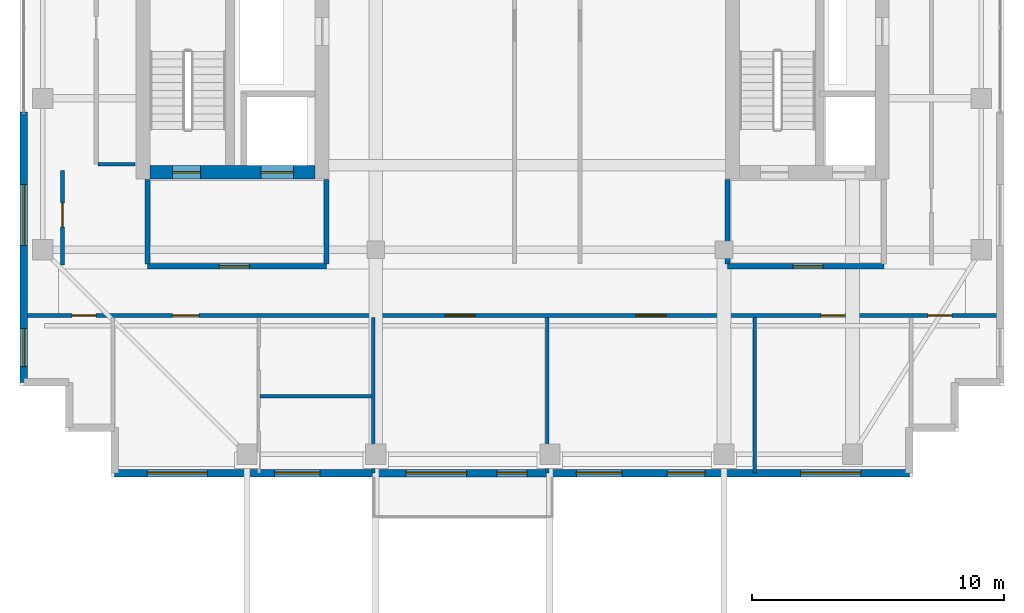
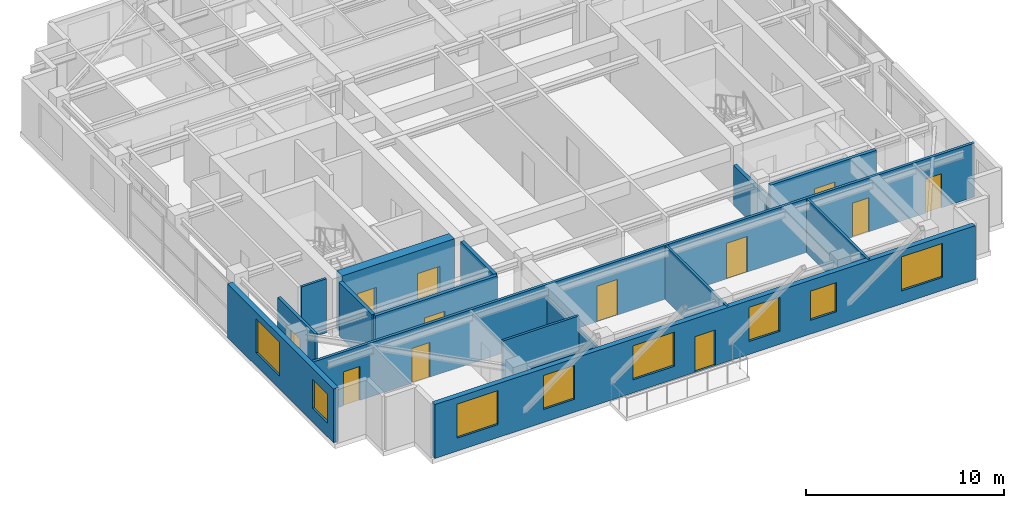
# One storey, part 8 of 14: 15 walls, 12 doors, 8 windows, 20 openings.
"""IFC4 building model written with IfcOpenShell, lengths in metres."""

from ifc_helpers import new_model, si_unit, direction, frame, frame_2d, origin, place, context, subcontext, project, spatial, rectangle, extrude, source, transform, mapped, material, layer, layer_set, type_object, element, fill, save


model = new_model("IFC4")

# Units and contexts
model_context = context("Model", 3, precision=1e-05, world=origin(), true_north=direction((0.0, 1.0)))
body_context = subcontext(model_context, "Body", "Model", "MODEL_VIEW")
ifc_project = project(units=[si_unit("LENGTHUNIT", "METRE"), si_unit("AREAUNIT", "SQUARE_METRE"), si_unit("VOLUMEUNIT", "CUBIC_METRE"), si_unit("PLANEANGLEUNIT", "RADIAN"), si_unit("MASSUNIT", "GRAM", prefix="KILO")], contexts=[model_context])

# Site, building, storey
site_placement = place(None, origin())
site = spatial("IfcSite", under=ifc_project, at=site_placement, CompositionType="ELEMENT")
building_placement = place(site_placement, origin())
building = spatial("IfcBuilding", under=site, at=building_placement, Name="Khoralis Quay Care Tower", CompositionType="ELEMENT")
storey_placement = place(building_placement, frame((0.0, 0.0, 274.5)))
storey = spatial("IfcBuildingStorey", under=building, at=storey_placement, Name="L72", CompositionType="ELEMENT", Elevation=274.5)

# Wall, opening, door
ifc_material_1 = material(Name="Gypsum plasterboard on acoustic metal stud")
ifc_layer_1 = layer(ifc_material_1, 0.199951171875)
ifc_layer_set_1 = layer_set([ifc_layer_1], Name="Gypsum plasterboard on acoustic metal stud")
wall_type_1 = type_object("IfcWallType", Name="WL-COMP-200", PredefinedType="PARTITIONING", material=ifc_layer_set_1)
wall_1_placement = place(storey_placement, frame((8.050048828125, 11.35009765625, 0.0), z_axis=(0.0, 0.0, 1.0), x_axis=(1.0, 0.0, 0.0)))
wall_1 = element("IfcWall", 1, at=wall_1_placement, inside=storey, type_object=wall_type_1, Name="L72 West Firefighting Lobby South Wall", PredefinedType="PARTITIONING", context=body_context, shape_type="SweptSolid", body=[
    extrude(rectangle(XDim=7.099853515625, YDim=0.199951171875, at=frame_2d((3.5498046875, 0.0))), origin(), (0.0, 0.0, 1.0), 3.320068359375),
])
opening_1_placement = place(wall_1_placement, frame((2.846435546875, 0.0, 0.0)))
opening_1 = element("IfcOpeningElement", 2, at=opening_1_placement, cuts=wall_1, Name="Opening FD1", PredefinedType="OPENING", context=body_context, shape_type="SweptSolid", body=[
    extrude(rectangle(XDim=1.199951171875, YDim=2.199951171875, at=frame_2d((0.60009765625, 1.10009765625))), frame((0.0, 0.10986328125, 0.0), z_axis=(0.0, -1.0, 0.0), x_axis=(1.0, 0.0, 0.0)), (0.0, 0.0, 1.0), 0.219970703125),
])
ifc_material_2 = material(Name="Fire-rated painted steel", Category="steel")
door_type_1 = type_object("IfcDoorType", Name="DR-FFL-1200X2200", OperationType="NOTDEFINED", PredefinedType="DOOR", material=ifc_material_2)
shared_shape_1 = source(origin(), body_context, "Body", "SweptSolid", [
    extrude(rectangle(XDim=1.199951171875, YDim=2.199951171875, at=frame_2d((0.60009765625, 1.10009765625))), frame((0.0, 0.02490234375, 0.0), z_axis=(0.0, -1.0, 0.0), x_axis=(1.0, 0.0, 0.0)), (0.0, 0.0, 1.0), 0.050048828125),
])
door_1_placement = place(opening_1_placement, origin())
door_1 = element("IfcDoor", 3, at=door_1_placement, inside=storey, type_object=door_type_1, Name="L72 West Firefighting Lobby Fire Door", OperationType="SINGLE_SWING_RIGHT", OverallHeight=2.199951171875, OverallWidth=1.199951171875, PredefinedType="DOOR", context=body_context, shape_type="MappedRepresentation", body=[
    mapped(shared_shape_1, transform((0.0, 0.0, 0.0), scale=1.0)),
])
fill(opening_1, door_1)

# Walls
for number, where, z_axis, x_axis, name in (
    (4, (8.050048828125, 11.445068359375, 0.0), (0.0, 0.0, 1.0), (0.0, 1.0, 0.0), "L72 West Firefighting Lobby West Wall"),
    (5, (15.14990234375, 11.445068359375, 0.0), (0.0, 0.0, 1.0), (0.0, 1.0, 0.0), "L72 West Firefighting Lobby East Wall"),
):
    element("IfcWall", number, at=place(storey_placement, frame(where, z_axis=z_axis, x_axis=x_axis)), inside=storey, type_object=wall_type_1, Name=name, PredefinedType="PARTITIONING", context=body_context, shape_type="SweptSolid", body=[
        extrude(rectangle(XDim=3.3349609375, YDim=0.199951171875, at=frame_2d((1.66748046875, 0.0))), origin(), (0.0, 0.0, 1.0), 3.320068359375),
    ])

# Wall, opening, door
wall_2_placement = place(storey_placement, frame((31.050048828125, 11.35009765625, 0.0), z_axis=(0.0, 0.0, 1.0), x_axis=(1.0, 0.0, 0.0)))
wall_2 = element("IfcWall", 6, at=wall_2_placement, inside=storey, type_object=wall_type_1, Name="L72 East Firefighting Lobby South Wall", PredefinedType="PARTITIONING", context=body_context, shape_type="SweptSolid", body=[
    extrude(rectangle(XDim=6.199951171875, YDim=0.199951171875, at=frame_2d((3.10009765625, 0.0))), origin(), (0.0, 0.0, 1.0), 3.320068359375),
])
opening_2_placement = place(wall_2_placement, frame((2.585693359375, 0.0, 0.0)))
opening_2 = element("IfcOpeningElement", 7, at=opening_2_placement, cuts=wall_2, Name="Opening FD1", PredefinedType="OPENING", context=body_context, shape_type="SweptSolid", body=[
    extrude(rectangle(XDim=1.199951171875, YDim=2.199951171875, at=frame_2d((0.60009765625, 1.10009765625))), frame((0.0, 0.10986328125, 0.0), z_axis=(0.0, -1.0, 0.0), x_axis=(1.0, 0.0, 0.0)), (0.0, 0.0, 1.0), 0.219970703125),
])
door_2_placement = place(opening_2_placement, origin())
door_2 = element("IfcDoor", 8, at=door_2_placement, inside=storey, type_object=door_type_1, Name="L72 East Firefighting Lobby Fire Door", OperationType="SINGLE_SWING_LEFT", OverallHeight=2.199951171875, OverallWidth=1.199951171875, PredefinedType="DOOR", context=body_context, shape_type="MappedRepresentation", body=[
    mapped(shared_shape_1, transform((0.0, 0.0, 0.0), scale=1.0)),
])
fill(opening_2, door_2)

# Wall
wall_3_placement = place(storey_placement, frame((31.050048828125, 11.445068359375, 0.0), z_axis=(0.0, 0.0, 1.0), x_axis=(0.0, 1.0, 0.0)))
element("IfcWall", 9, at=wall_3_placement, inside=storey, type_object=wall_type_1, Name="L72 East Firefighting Lobby West Wall", PredefinedType="PARTITIONING", context=body_context, shape_type="SweptSolid", body=[
    extrude(rectangle(XDim=3.3349609375, YDim=0.199951171875, at=frame_2d((1.66748046875, 0.0))), origin(), (0.0, 0.0, 1.0), 2.469970703125),
])

# Wall, openings, doors
ifc_material_3 = material(Name="Concrete C65/80", Category="concrete")
ifc_layer_2 = layer(ifc_material_3, 0.550048828125)
ifc_layer_set_2 = layer_set([ifc_layer_2], Name="Concrete C65/80")
wall_type_2 = type_object("IfcWallType", Name="WL-CORE-550", PredefinedType="SHEAR", material=ifc_layer_set_2)
wall_4_placement = place(storey_placement, frame((8.14990234375, 15.074951171875, 0.0), z_axis=(0.0, 0.0, 1.0), x_axis=(1.0, 0.0, 0.0)))
wall_4 = element("IfcWall", 10, at=wall_4_placement, inside=storey, type_object=wall_type_2, Name="L72 WCORE South Shear Wall", PredefinedType="SHEAR", context=body_context, shape_type="SweptSolid", body=[
    extrude(rectangle(XDim=6.550048828125, YDim=0.550048828125, at=frame_2d((3.27490234375, 0.0))), origin(), (0.0, 0.0, 1.0), 3.60009765625),
])
opening_3_placement = place(wall_4_placement, frame((0.89990234375, 0.0, 0.0)))
opening_3 = element("IfcOpeningElement", 11, at=opening_3_placement, cuts=wall_4, Name="Opening SD1", PredefinedType="OPENING", context=body_context, shape_type="SweptSolid", body=[
    extrude(rectangle(XDim=1.10009765625, YDim=2.199951171875, at=frame_2d((0.550048828125, 1.10009765625))), frame((0.0, 0.28515625, 0.0), z_axis=(0.0, -1.0, 0.0), x_axis=(1.0, 0.0, 0.0)), (0.0, 0.0, 1.0), 0.570068359375),
])
opening_4_placement = place(wall_4_placement, frame((4.39990234375, 0.0, 0.0)))
opening_4 = element("IfcOpeningElement", 12, at=opening_4_placement, cuts=wall_4, Name="Opening LD2", PredefinedType="OPENING", context=body_context, shape_type="SweptSolid", body=[
    extrude(rectangle(XDim=1.300048828125, YDim=2.199951171875, at=frame_2d((0.64990234375, 1.10009765625))), frame((0.0, 0.28515625, 0.0), z_axis=(0.0, -1.0, 0.0), x_axis=(1.0, 0.0, 0.0)), (0.0, 0.0, 1.0), 0.570068359375),
])
door_type_2 = type_object("IfcDoorType", Name="DR-STAIR-1100X2200", OperationType="NOTDEFINED", PredefinedType="DOOR", material=ifc_material_2)
shared_shape_2 = source(origin(), body_context, "Body", "SweptSolid", [
    extrude(rectangle(XDim=1.10009765625, YDim=2.199951171875, at=frame_2d((0.550048828125, 1.10009765625))), frame((0.0, 0.02490234375, 0.0), z_axis=(0.0, -1.0, 0.0), x_axis=(1.0, 0.0, 0.0)), (0.0, 0.0, 1.0), 0.050048828125),
])
door_3_placement = place(opening_3_placement, origin())
door_3 = element("IfcDoor", 13, at=door_3_placement, inside=storey, type_object=door_type_2, Name="L72 Stair ST-T1 Fire Door", OperationType="SINGLE_SWING_RIGHT", OverallHeight=2.199951171875, OverallWidth=1.10009765625, PredefinedType="DOOR", context=body_context, shape_type="MappedRepresentation", body=[
    mapped(shared_shape_2, transform((0.0, 0.0, 0.0), scale=1.0)),
])
fill(opening_3, door_3)
ifc_material_4 = material(Name="Brushed stainless steel", Category="steel")
door_type_3 = type_object("IfcDoorType", Name="DR-LIFT-1300X2200", OperationType="SLIDING_TO_RIGHT", PredefinedType="DOOR", material=ifc_material_4)
shared_shape_3 = source(origin(), body_context, "Body", "SweptSolid", [
    extrude(rectangle(XDim=1.300048828125, YDim=2.199951171875, at=frame_2d((0.64990234375, 1.10009765625))), frame((0.0, 0.02490234375, 0.0), z_axis=(0.0, -1.0, 0.0), x_axis=(1.0, 0.0, 0.0)), (0.0, 0.0, 1.0), 0.050048828125),
])
door_4_placement = place(opening_4_placement, origin())
door_4 = element("IfcDoor", 14, at=door_4_placement, inside=storey, type_object=door_type_3, Name="L72 Firefighting Lift FFL-1 Landing Door", OperationType="SLIDING_TO_RIGHT", OverallHeight=2.199951171875, OverallWidth=1.300048828125, PredefinedType="DOOR", context=body_context, shape_type="MappedRepresentation", body=[
    mapped(shared_shape_3, transform((0.0, 0.0, 0.0), scale=1.0)),
])
fill(opening_4, door_4)

ifc_layer_3 = layer(ifc_material_1, 0.1650390625)
ifc_layer_set_3 = layer_set([ifc_layer_3], Name="Gypsum plasterboard on acoustic metal stud")
wall_type_3 = type_object("IfcWallType", Name="WL-CORR-165", PredefinedType="PARTITIONING", material=ifc_layer_set_3)
wall_5_placement = place(storey_placement, frame((3.14501953125, 9.39990234375, 0.0), z_axis=(0.0, 0.0, 1.0), x_axis=(1.0, 0.0, 0.0)))
wall_5 = element("IfcWall", 15, at=wall_5_placement, inside=storey, type_object=wall_type_3, Name="L72 South Main Corridor Wall", PredefinedType="PARTITIONING", context=body_context, shape_type="SweptSolid", body=[
    extrude(rectangle(XDim=38.7099609375, YDim=0.1650390625, at=frame_2d((19.35498046875, 0.0))), origin(), (0.0, 0.0, 1.0), 3.320068359375),
])
opening_5_placement = place(wall_5_placement, frame((5.902587890625, 0.0, 0.0)))
opening_5 = element("IfcOpeningElement", 16, at=opening_5_placement, cuts=wall_5, Name="Opening UD1", PredefinedType="OPENING", context=body_context, shape_type="SweptSolid", body=[
    extrude(rectangle(XDim=1.050048828125, YDim=2.14990234375, at=frame_2d((0.52490234375, 1.074951171875))), frame((0.0, 0.092529296875, 0.0), z_axis=(0.0, -1.0, 0.0), x_axis=(1.0, 0.0, 0.0)), (0.0, 0.0, 1.0), 0.18505859375),
])
opening_6_placement = place(wall_5_placement, frame((16.705078125, 0.0, 0.0)))
opening_6 = element("IfcOpeningElement", 17, at=opening_6_placement, cuts=wall_5, Name="Opening FD1", PredefinedType="OPENING", context=body_context, shape_type="SweptSolid", body=[
    extrude(rectangle(XDim=1.199951171875, YDim=2.199951171875, at=frame_2d((0.60009765625, 1.10009765625))), frame((0.0, 0.092529296875, 0.0), z_axis=(0.0, -1.0, 0.0), x_axis=(1.0, 0.0, 0.0)), (0.0, 0.0, 1.0), 0.18505859375),
])
opening_7_placement = place(wall_5_placement, frame((24.260009765625, 0.0, 0.0)))
opening_7 = element("IfcOpeningElement", 18, at=opening_7_placement, cuts=wall_5, Name="Opening FD1", PredefinedType="OPENING", context=body_context, shape_type="SweptSolid", body=[
    extrude(rectangle(XDim=1.199951171875, YDim=2.199951171875, at=frame_2d((0.60009765625, 1.10009765625))), frame((0.0, 0.092529296875, 0.0), z_axis=(0.0, -1.0, 0.0), x_axis=(1.0, 0.0, 0.0)), (0.0, 0.0, 1.0), 0.18505859375),
])
opening_8_placement = place(wall_5_placement, frame((31.60009765625, 0.0, 0.0)))
opening_8 = element("IfcOpeningElement", 19, at=opening_8_placement, cuts=wall_5, Name="Opening ID1", PredefinedType="OPENING", context=body_context, shape_type="SweptSolid", body=[
    extrude(rectangle(XDim=0.949951171875, YDim=2.10009765625, at=frame_2d((0.47509765625, 1.050048828125))), frame((0.0, 0.092529296875, 0.0), z_axis=(0.0, -1.0, 0.0), x_axis=(1.0, 0.0, 0.0)), (0.0, 0.0, 1.0), 0.18505859375),
])
opening_9_placement = place(wall_5_placement, frame((1.919921875, 0.0, 0.0)))
opening_9 = element("IfcOpeningElement", 20, at=opening_9_placement, cuts=wall_5, Name="Opening ID1", PredefinedType="OPENING", context=body_context, shape_type="SweptSolid", body=[
    extrude(rectangle(XDim=0.949951171875, YDim=2.10009765625, at=frame_2d((0.47509765625, 1.050048828125))), frame((0.0, 0.092529296875, 0.0), z_axis=(0.0, -1.0, 0.0), x_axis=(1.0, 0.0, 0.0)), (0.0, 0.0, 1.0), 0.18505859375),
])
opening_10_placement = place(wall_5_placement, frame((35.840087890625, 0.0, 0.0)))
opening_10 = element("IfcOpeningElement", 21, at=opening_10_placement, cuts=wall_5, Name="Opening ID1", PredefinedType="OPENING", context=body_context, shape_type="SweptSolid", body=[
    extrude(rectangle(XDim=0.949951171875, YDim=2.10009765625, at=frame_2d((0.47509765625, 1.050048828125))), frame((0.0, 0.092529296875, 0.0), z_axis=(0.0, -1.0, 0.0), x_axis=(1.0, 0.0, 0.0)), (0.0, 0.0, 1.0), 0.18505859375),
])
door_5_placement = place(opening_6_placement, frame((1.199951171875, 0.0, 0.0), z_axis=(0.0, 0.0, 1.0), x_axis=(-1.0, 0.0, 0.0)))
door_5 = element("IfcDoor", 22, at=door_5_placement, inside=storey, type_object=door_type_1, Name="L72 Assisted Communal Dining Room Door", OperationType="DOUBLE_DOOR_SINGLE_SWING", OverallHeight=2.199951171875, OverallWidth=1.199951171875, PredefinedType="DOOR", context=body_context, shape_type="MappedRepresentation", body=[
    mapped(shared_shape_1, transform((0.0, 0.0, 0.0), scale=1.0)),
])
fill(opening_6, door_5)
door_6_placement = place(opening_7_placement, frame((1.199951171875, 0.0, 0.0), z_axis=(0.0, 0.0, 1.0), x_axis=(-1.0, 0.0, 0.0)))
door_6 = element("IfcDoor", 23, at=door_6_placement, inside=storey, type_object=door_type_1, Name="L72 Senior Wellness Pharmacy Shop Door", OperationType="DOUBLE_DOOR_SINGLE_SWING", OverallHeight=2.199951171875, OverallWidth=1.199951171875, PredefinedType="DOOR", context=body_context, shape_type="MappedRepresentation", body=[
    mapped(shared_shape_1, transform((0.0, 0.0, 0.0), scale=1.0)),
])
fill(opening_7, door_6)
ifc_material_5 = material(Name="Acoustic hardwood timber", Category="wood")
door_type_4 = type_object("IfcDoorType", Name="DR-ROOM-950X2100", OperationType="NOTDEFINED", PredefinedType="DOOR", material=ifc_material_5)
shared_shape_4 = source(origin(), body_context, "Body", "SweptSolid", [
    extrude(rectangle(XDim=0.949951171875, YDim=2.10009765625, at=frame_2d((0.47509765625, 1.050048828125))), frame((0.0, 0.02490234375, 0.0), z_axis=(0.0, -1.0, 0.0), x_axis=(1.0, 0.0, 0.0)), (0.0, 0.0, 1.0), 0.050048828125),
])
door_7_placement = place(opening_8_placement, frame((0.949951171875, 0.0, 0.0), z_axis=(0.0, 0.0, 1.0), x_axis=(-1.0, 0.0, 0.0)))
door_7 = element("IfcDoor", 24, at=door_7_placement, inside=storey, type_object=door_type_4, Name="L72 Care Coordination Office Door", OperationType="SINGLE_SWING_RIGHT", OverallHeight=2.10009765625, OverallWidth=0.949951171875, PredefinedType="DOOR", context=body_context, shape_type="MappedRepresentation", body=[
    mapped(shared_shape_4, transform((0.0, 0.0, 0.0), scale=1.0)),
])
fill(opening_8, door_7)
door_8_placement = place(opening_9_placement, frame((0.949951171875, 0.0, 0.0), z_axis=(0.0, 0.0, 1.0), x_axis=(-1.0, 0.0, 0.0)))
door_8 = element("IfcDoor", 25, at=door_8_placement, inside=storey, type_object=door_type_4, Name="L72 SW Corner Door", OperationType="SINGLE_SWING_LEFT", OverallHeight=2.10009765625, OverallWidth=0.949951171875, PredefinedType="DOOR", context=body_context, shape_type="MappedRepresentation", body=[
    mapped(shared_shape_4, transform((0.0, 0.0, 0.0), scale=1.0)),
])
fill(opening_9, door_8)
door_9_placement = place(opening_10_placement, frame((0.949951171875, 0.0, 0.0), z_axis=(0.0, 0.0, 1.0), x_axis=(-1.0, 0.0, 0.0)))
door_9 = element("IfcDoor", 26, at=door_9_placement, inside=storey, type_object=door_type_4, Name="L72 SE Corner Door", OperationType="SINGLE_SWING_RIGHT", OverallHeight=2.10009765625, OverallWidth=0.949951171875, PredefinedType="DOOR", context=body_context, shape_type="MappedRepresentation", body=[
    mapped(shared_shape_4, transform((0.0, 0.0, 0.0), scale=1.0)),
])
fill(opening_10, door_9)
door_type_5 = type_object("IfcDoorType", Name="DR-SUITE-1050X2150", OperationType="NOTDEFINED", PredefinedType="DOOR", material=ifc_material_5)
shared_shape_5 = source(origin(), body_context, "Body", "SweptSolid", [
    extrude(rectangle(XDim=1.050048828125, YDim=2.14990234375, at=frame_2d((0.52490234375, 1.074951171875))), frame((0.0, 0.02490234375, 0.0), z_axis=(0.0, -1.0, 0.0), x_axis=(1.0, 0.0, 0.0)), (0.0, 0.0, 1.0), 0.050048828125),
])
door_10_placement = place(opening_5_placement, frame((1.050048828125, 0.0, 0.0), z_axis=(0.0, 0.0, 1.0), x_axis=(-1.0, 0.0, 0.0)))
door_10 = element("IfcDoor", 27, at=door_10_placement, inside=storey, type_object=door_type_5, Name="L72 Studio SB0 Entrance", OperationType="SINGLE_SWING_RIGHT", OverallHeight=2.14990234375, OverallWidth=1.050048828125, PredefinedType="DOOR", context=body_context, shape_type="MappedRepresentation", body=[
    mapped(shared_shape_5, transform((0.0, 0.0, 0.0), scale=1.0)),
])
fill(opening_5, door_10)

# Wall, opening, door
wall_6_placement = place(storey_placement, frame((4.679931640625, 11.39990234375, 0.0), z_axis=(0.0, 0.0, 1.0), x_axis=(0.0, 1.0, 0.0)))
wall_6 = element("IfcWall", 28, at=wall_6_placement, inside=storey, type_object=wall_type_3, Name="L72 West Sky Sunroom South Wall", PredefinedType="PARTITIONING", context=body_context, shape_type="SweptSolid", body=[
    extrude(rectangle(XDim=3.75, YDim=0.1650390625, at=frame_2d((1.875, 0.0))), origin(), (0.0, 0.0, 1.0), 3.320068359375),
])
opening_11_placement = place(wall_6_placement, frame((1.5, 0.0, 0.0)))
opening_11 = element("IfcOpeningElement", 29, at=opening_11_placement, cuts=wall_6, Name="Opening ID1", PredefinedType="OPENING", context=body_context, shape_type="SweptSolid", body=[
    extrude(rectangle(XDim=0.949951171875, YDim=2.10009765625, at=frame_2d((0.47509765625, 1.050048828125))), frame((0.0, 0.092529296875, 0.0), z_axis=(0.0, -1.0, 0.0), x_axis=(1.0, 0.0, 0.0)), (0.0, 0.0, 1.0), 0.18505859375),
])
door_11_placement = place(opening_11_placement, frame((0.949951171875, 0.0, 0.0), z_axis=(0.0, 0.0, 1.0), x_axis=(-1.0, 0.0, 0.0)))
door_11 = element("IfcDoor", 30, at=door_11_placement, inside=storey, type_object=door_type_4, Name="L72 West Sunroom Door", OperationType="SINGLE_SWING_LEFT", OverallHeight=2.10009765625, OverallWidth=0.949951171875, PredefinedType="DOOR", context=body_context, shape_type="MappedRepresentation", body=[
    mapped(shared_shape_4, transform((0.0, 0.0, 0.0), scale=1.0)),
])
fill(opening_11, door_11)

# Wall, openings, windows, door
ifc_material_6 = material(Name="Precast concrete C45/55", Category="concrete")
ifc_layer_4 = layer(ifc_material_6, 0.300048828125)
ifc_layer_set_4 = layer_set([ifc_layer_4], Name="Precast concrete C45/55")
wall_type_4 = type_object("IfcWallType", Name="WL-EXT-REF-300", PredefinedType="SOLIDWALL", material=ifc_layer_set_4)
wall_7_placement = place(storey_placement, frame((6.75, 3.14990234375, 0.0), z_axis=(0.0, 0.0, 1.0), x_axis=(1.0, 0.0, 0.0)))
wall_7 = element("IfcWall", 31, at=wall_7_placement, inside=storey, type_object=wall_type_4, Name="L72 External Facade Wall WL-EXT-L72-P1-E0", PredefinedType="SOLIDWALL", context=body_context, shape_type="SweptSolid", body=[
    extrude(rectangle(XDim=31.5, YDim=0.300048828125, at=frame_2d((15.75, 0.0))), origin(), (0.0, 0.0, 1.0), 3.320068359375),
])
opening_12_placement = place(wall_7_placement, frame((1.280029296875, 0.0, 0.800048828125)))
opening_12 = element("IfcOpeningElement", 32, at=opening_12_placement, cuts=wall_7, Name="Opening W1", PredefinedType="OPENING", context=body_context, shape_type="SweptSolid", body=[
    extrude(rectangle(XDim=2.39990234375, YDim=2.10009765625, at=frame_2d((1.199951171875, 1.050048828125))), frame((0.0, 0.16015625, 0.0), z_axis=(0.0, -1.0, 0.0), x_axis=(1.0, 0.0, 0.0)), (0.0, 0.0, 1.0), 0.320068359375),
])
opening_13_placement = place(wall_7_placement, frame((6.33740234375, 0.0, 0.800048828125)))
opening_13 = element("IfcOpeningElement", 33, at=opening_13_placement, cuts=wall_7, Name="Opening W2", PredefinedType="OPENING", context=body_context, shape_type="SweptSolid", body=[
    extrude(rectangle(XDim=1.800048828125, YDim=2.10009765625, at=frame_2d((0.89990234375, 1.050048828125))), frame((0.0, 0.16015625, 0.0), z_axis=(0.0, -1.0, 0.0), x_axis=(1.0, 0.0, 0.0)), (0.0, 0.0, 1.0), 0.320068359375),
])
opening_14_placement = place(wall_7_placement, frame((11.550048828125, 0.0, 0.800048828125)))
opening_14 = element("IfcOpeningElement", 34, at=opening_14_placement, cuts=wall_7, Name="Opening W1", PredefinedType="OPENING", context=body_context, shape_type="SweptSolid", body=[
    extrude(rectangle(XDim=2.39990234375, YDim=2.10009765625, at=frame_2d((1.199951171875, 1.050048828125))), frame((0.0, 0.16015625, 0.0), z_axis=(0.0, -1.0, 0.0), x_axis=(1.0, 0.0, 0.0)), (0.0, 0.0, 1.0), 0.320068359375),
])
opening_15_placement = place(wall_7_placement, frame((18.300048828125, 0.0, 0.800048828125)))
opening_15 = element("IfcOpeningElement", 35, at=opening_15_placement, cuts=wall_7, Name="Opening W2", PredefinedType="OPENING", context=body_context, shape_type="SweptSolid", body=[
    extrude(rectangle(XDim=1.800048828125, YDim=2.10009765625, at=frame_2d((0.89990234375, 1.050048828125))), frame((0.0, 0.16015625, 0.0), z_axis=(0.0, -1.0, 0.0), x_axis=(1.0, 0.0, 0.0)), (0.0, 0.0, 1.0), 0.320068359375),
])
opening_16_placement = place(wall_7_placement, frame((21.89990234375, 0.0, 0.85009765625)))
opening_16 = element("IfcOpeningElement", 36, at=opening_16_placement, cuts=wall_7, Name="Opening W3", PredefinedType="OPENING", context=body_context, shape_type="SweptSolid", body=[
    extrude(rectangle(XDim=1.5, YDim=1.800048828125, at=frame_2d((0.75, 0.89990234375))), frame((0.0, 0.16015625, 0.0), z_axis=(0.0, -1.0, 0.0), x_axis=(1.0, 0.0, 0.0)), (0.0, 0.0, 1.0), 0.320068359375),
])
opening_17_placement = place(wall_7_placement, frame((27.18505859375, 0.0, 0.800048828125)))
opening_17 = element("IfcOpeningElement", 37, at=opening_17_placement, cuts=wall_7, Name="Opening W1", PredefinedType="OPENING", context=body_context, shape_type="SweptSolid", body=[
    extrude(rectangle(XDim=2.39990234375, YDim=2.10009765625, at=frame_2d((1.199951171875, 1.050048828125))), frame((0.0, 0.16015625, 0.0), z_axis=(0.0, -1.0, 0.0), x_axis=(1.0, 0.0, 0.0)), (0.0, 0.0, 1.0), 0.320068359375),
])
opening_18_placement = place(wall_7_placement, frame((15.14990234375, 0.0, 0.0)))
opening_18 = element("IfcOpeningElement", 38, at=opening_18_placement, cuts=wall_7, Name="Opening BD1", PredefinedType="OPENING", context=body_context, shape_type="SweptSolid", body=[
    extrude(rectangle(XDim=1.199951171875, YDim=2.199951171875, at=frame_2d((0.60009765625, 1.10009765625))), frame((0.0, 0.16015625, 0.0), z_axis=(0.0, -1.0, 0.0), x_axis=(1.0, 0.0, 0.0)), (0.0, 0.0, 1.0), 0.320068359375),
])
ifc_material_7 = material(Name="Low-E solar-control double glazing", Category="glass")
window_type_1 = type_object("IfcWindowType", Name="WN-CLIN-1500X1800", PartitioningType="SINGLE_PANEL", PredefinedType="WINDOW", material=ifc_material_7)
shared_shape_6 = source(origin(), body_context, "Body", "SweptSolid", [
    extrude(rectangle(XDim=1.5, YDim=1.800048828125, at=frame_2d((0.75, 0.89990234375))), frame((0.0, 0.030029296875, 0.0), z_axis=(0.0, -1.0, 0.0), x_axis=(1.0, 0.0, 0.0)), (0.0, 0.0, 1.0), 0.06005859375),
])
window_1_placement = place(opening_16_placement, origin())
window_1 = element("IfcWindow", 39, at=window_1_placement, inside=storey, type_object=window_type_1, Name="WN-L72-P1-E0 Facade Window 05", OverallHeight=1.800048828125, OverallWidth=1.5, PartitioningType="SINGLE_PANEL", PredefinedType="WINDOW", context=body_context, shape_type="MappedRepresentation", body=[
    mapped(shared_shape_6, transform((0.0, 0.0, 0.0), scale=1.0)),
])
fill(opening_16, window_1)
window_type_2 = type_object("IfcWindowType", Name="WN-POD-2400X2100", PartitioningType="SINGLE_PANEL", PredefinedType="WINDOW", material=ifc_material_7)
shared_shape_7 = source(origin(), body_context, "Body", "SweptSolid", [
    extrude(rectangle(XDim=2.39990234375, YDim=2.10009765625, at=frame_2d((1.199951171875, 1.050048828125))), frame((0.0, 0.030029296875, 0.0), z_axis=(0.0, -1.0, 0.0), x_axis=(1.0, 0.0, 0.0)), (0.0, 0.0, 1.0), 0.06005859375),
])
window_2_placement = place(opening_12_placement, origin())
window_2 = element("IfcWindow", 40, at=window_2_placement, inside=storey, type_object=window_type_2, Name="WN-L72-P1-E0 Facade Window 01", OverallHeight=2.10009765625, OverallWidth=2.39990234375, PartitioningType="SINGLE_PANEL", PredefinedType="WINDOW", context=body_context, shape_type="MappedRepresentation", body=[
    mapped(shared_shape_7, transform((0.0, 0.0, 0.0), scale=1.0)),
])
fill(opening_12, window_2)
window_3_placement = place(opening_14_placement, origin())
window_3 = element("IfcWindow", 41, at=window_3_placement, inside=storey, type_object=window_type_2, Name="WN-L72-P1-E0 Facade Window 03", OverallHeight=2.10009765625, OverallWidth=2.39990234375, PartitioningType="SINGLE_PANEL", PredefinedType="WINDOW", context=body_context, shape_type="MappedRepresentation", body=[
    mapped(shared_shape_7, transform((0.0, 0.0, 0.0), scale=1.0)),
])
fill(opening_14, window_3)
window_4_placement = place(opening_17_placement, origin())
window_4 = element("IfcWindow", 42, at=window_4_placement, inside=storey, type_object=window_type_2, Name="WN-L72-P1-E0 Facade Window 06", OverallHeight=2.10009765625, OverallWidth=2.39990234375, PartitioningType="SINGLE_PANEL", PredefinedType="WINDOW", context=body_context, shape_type="MappedRepresentation", body=[
    mapped(shared_shape_7, transform((0.0, 0.0, 0.0), scale=1.0)),
])
fill(opening_17, window_4)
window_type_3 = type_object("IfcWindowType", Name="WN-POD-1800X2100", PartitioningType="SINGLE_PANEL", PredefinedType="WINDOW", material=ifc_material_7)
shared_shape_8 = source(origin(), body_context, "Body", "SweptSolid", [
    extrude(rectangle(XDim=1.800048828125, YDim=2.10009765625, at=frame_2d((0.89990234375, 1.050048828125))), frame((0.0, 0.030029296875, 0.0), z_axis=(0.0, -1.0, 0.0), x_axis=(1.0, 0.0, 0.0)), (0.0, 0.0, 1.0), 0.06005859375),
])
window_5_placement = place(opening_13_placement, origin())
window_5 = element("IfcWindow", 43, at=window_5_placement, inside=storey, type_object=window_type_3, Name="WN-L72-P1-E0 Facade Window 02", OverallHeight=2.10009765625, OverallWidth=1.800048828125, PartitioningType="SINGLE_PANEL", PredefinedType="WINDOW", context=body_context, shape_type="MappedRepresentation", body=[
    mapped(shared_shape_8, transform((0.0, 0.0, 0.0), scale=1.0)),
])
fill(opening_13, window_5)
window_6_placement = place(opening_15_placement, origin())
window_6 = element("IfcWindow", 44, at=window_6_placement, inside=storey, type_object=window_type_3, Name="WN-L72-P1-E0 Facade Window 04", OverallHeight=2.10009765625, OverallWidth=1.800048828125, PartitioningType="SINGLE_PANEL", PredefinedType="WINDOW", context=body_context, shape_type="MappedRepresentation", body=[
    mapped(shared_shape_8, transform((0.0, 0.0, 0.0), scale=1.0)),
])
fill(opening_15, window_6)
ifc_material_8 = material(Name="Anodised aluminium and laminated safety glass", Category="aluminium")
door_type_6 = type_object("IfcDoorType", Name="DR-EXT-BALC-1200X2200", OperationType="NOTDEFINED", PredefinedType="DOOR", material=ifc_material_8)
shared_shape_9 = source(origin(), body_context, "Body", "SweptSolid", [
    extrude(rectangle(XDim=1.199951171875, YDim=2.199951171875, at=frame_2d((0.60009765625, 1.10009765625))), frame((0.0, 0.02490234375, 0.0), z_axis=(0.0, -1.0, 0.0), x_axis=(1.0, 0.0, 0.0)), (0.0, 0.0, 1.0), 0.050048828125),
])
door_12_placement = place(opening_18_placement, frame((1.199951171875, 0.0, 0.0), z_axis=(0.0, 0.0, 1.0), x_axis=(-1.0, 0.0, 0.0)))
door_12 = element("IfcDoor", 45, at=door_12_placement, inside=storey, type_object=door_type_6, Name="L72 Senior Loggia Balcony Door", OperationType="SINGLE_SWING_LEFT", OverallHeight=2.199951171875, OverallWidth=1.199951171875, PredefinedType="DOOR", context=body_context, shape_type="MappedRepresentation", body=[
    mapped(shared_shape_9, transform((0.0, 0.0, 0.0), scale=1.0)),
])
fill(opening_18, door_12)

# Wall, openings, windows
wall_8_placement = place(storey_placement, frame((3.14990234375, 17.4599609375, 0.0), z_axis=(0.0, 0.0, 1.0), x_axis=(0.0, -1.0, 0.0)))
wall_8 = element("IfcWall", 46, at=wall_8_placement, inside=storey, type_object=wall_type_4, Name="L72 External Facade Wall WL-EXT-L72-P1-E15B", PredefinedType="SOLIDWALL", context=body_context, shape_type="SweptSolid", body=[
    extrude(rectangle(XDim=10.7099609375, YDim=0.300048828125, at=frame_2d((5.35498046875, 0.0))), origin(), (0.0, 0.0, 1.0), 3.320068359375),
])
opening_19_placement = place(wall_8_placement, frame((2.8798828125, 0.0, 0.800048828125)))
opening_19 = element("IfcOpeningElement", 47, at=opening_19_placement, cuts=wall_8, Name="Opening W1", PredefinedType="OPENING", context=body_context, shape_type="SweptSolid", body=[
    extrude(rectangle(XDim=2.39990234375, YDim=2.10009765625, at=frame_2d((1.199951171875, 1.050048828125))), frame((0.0, 0.16015625, 0.0), z_axis=(0.0, -1.0, 0.0), x_axis=(1.0, 0.0, 0.0)), (0.0, 0.0, 1.0), 0.320068359375),
])
opening_20_placement = place(wall_8_placement, frame((8.5849609375, 0.0, 0.85009765625)))
opening_20 = element("IfcOpeningElement", 48, at=opening_20_placement, cuts=wall_8, Name="Opening W3", PredefinedType="OPENING", context=body_context, shape_type="SweptSolid", body=[
    extrude(rectangle(XDim=1.5, YDim=1.800048828125, at=frame_2d((0.75, 0.89990234375))), frame((0.0, 0.16015625, 0.0), z_axis=(0.0, -1.0, 0.0), x_axis=(1.0, 0.0, 0.0)), (0.0, 0.0, 1.0), 0.320068359375),
])
window_7_placement = place(opening_20_placement, origin())
window_7 = element("IfcWindow", 49, at=window_7_placement, inside=storey, type_object=window_type_1, Name="WN-L72-P1-E15B Facade Window 02", OverallHeight=1.800048828125, OverallWidth=1.5, PartitioningType="SINGLE_PANEL", PredefinedType="WINDOW", context=body_context, shape_type="MappedRepresentation", body=[
    mapped(shared_shape_6, transform((0.0, 0.0, 0.0), scale=1.0)),
])
fill(opening_20, window_7)
window_8_placement = place(opening_19_placement, origin())
window_8 = element("IfcWindow", 50, at=window_8_placement, inside=storey, type_object=window_type_2, Name="WN-L72-P1-E15B Facade Window 01", OverallHeight=2.10009765625, OverallWidth=2.39990234375, PartitioningType="SINGLE_PANEL", PredefinedType="WINDOW", context=body_context, shape_type="MappedRepresentation", body=[
    mapped(shared_shape_7, transform((0.0, 0.0, 0.0), scale=1.0)),
])
fill(opening_19, window_8)

# Walls
ifc_material_9 = material(Name="Moisture-resistant gypsum and ceramic tile")
ifc_layer_5 = layer(ifc_material_9, 0.280029296875)
ifc_layer_set_5 = layer_set([ifc_layer_5], Name="Moisture-resistant gypsum and ceramic tile")
wall_type_5 = type_object("IfcWallType", Name="WL-PLUMB-280", PredefinedType="PLUMBINGWALL", material=ifc_layer_set_5)
wall_9_placement = place(storey_placement, frame((12.517578125, 6.199951171875, 0.0), z_axis=(0.0, 0.0, 1.0), x_axis=(1.0, 0.0, 0.0)))
element("IfcWall", 51, at=wall_9_placement, inside=storey, type_object=wall_type_5, Name="L72 Studio 0 Wet Split", PredefinedType="PLUMBINGWALL", context=body_context, shape_type="SweptSolid", body=[
    extrude(rectangle(XDim=4.427490234375, YDim=0.139892578125, at=frame_2d((2.2138671875, 0.0))), origin(), (0.0, 0.0, 1.0), 3.320068359375),
])
ifc_layer_6 = layer(ifc_material_1, 0.139892578125)
ifc_layer_set_6 = layer_set([ifc_layer_6], Name="Gypsum plasterboard on acoustic metal stud")
wall_type_6 = type_object("IfcWallType", Name="WL-UNIT-140", PredefinedType="PARTITIONING", material=ifc_layer_set_6)
wall_10_placement = place(storey_placement, frame((6.097412109375, 15.39990234375, 0.0), z_axis=(0.0, 0.0, 1.0), x_axis=(1.0, 0.0, 0.0)))
element("IfcWall", 52, at=wall_10_placement, inside=storey, type_object=wall_type_6, Name="L72 West Flank South Cap", PredefinedType="PARTITIONING", context=body_context, shape_type="SweptSolid", body=[
    extrude(rectangle(XDim=1.462646484375, YDim=0.139892578125, at=frame_2d((0.7314453125, 0.0))), origin(), (0.0, 0.0, 1.0), 3.320068359375),
])
wall_11_placement = place(storey_placement, frame((17.010009765625, 3.14501953125, 0.0), z_axis=(0.0, 0.0, 1.0), x_axis=(0.0, 1.0, 0.0)))
element("IfcWall", 53, at=wall_11_placement, inside=storey, type_object=wall_type_6, Name="L72 SB Demising Wall 1", PredefinedType="PARTITIONING", context=body_context, shape_type="SweptSolid", body=[
    extrude(rectangle(XDim=6.177490234375, YDim=0.139892578125, at=frame_2d((3.0888671875, 0.0))), origin(), (0.0, 0.0, 1.0), 2.469970703125),
])
for number, where, z_axis, x_axis, name in (
    (54, (23.889892578125, 3.14501953125, 0.0), (0.0, 0.0, 1.0), (0.0, 1.0, 0.0), "L72 SB Demising Wall 2"),
    (55, (32.1201171875, 3.14501953125, 0.0), (0.0, 0.0, 1.0), (0.0, 1.0, 0.0), "L72 SB Demising Wall 3"),
):
    element("IfcWall", number, at=place(storey_placement, frame(where, z_axis=z_axis, x_axis=x_axis)), inside=storey, type_object=wall_type_6, Name=name, PredefinedType="PARTITIONING", context=body_context, shape_type="SweptSolid", body=[
        extrude(rectangle(XDim=6.177490234375, YDim=0.139892578125, at=frame_2d((3.0888671875, 0.0))), origin(), (0.0, 0.0, 1.0), 3.320068359375),
    ])

save(model, "model.ifc")
